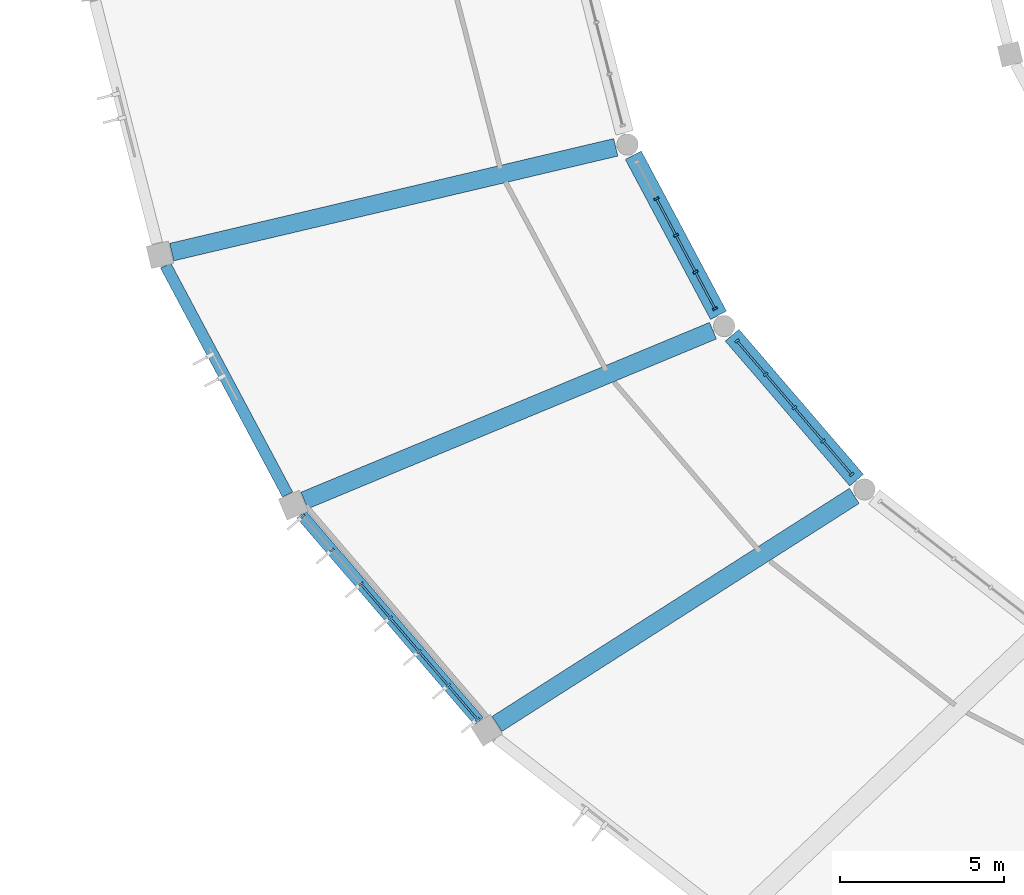
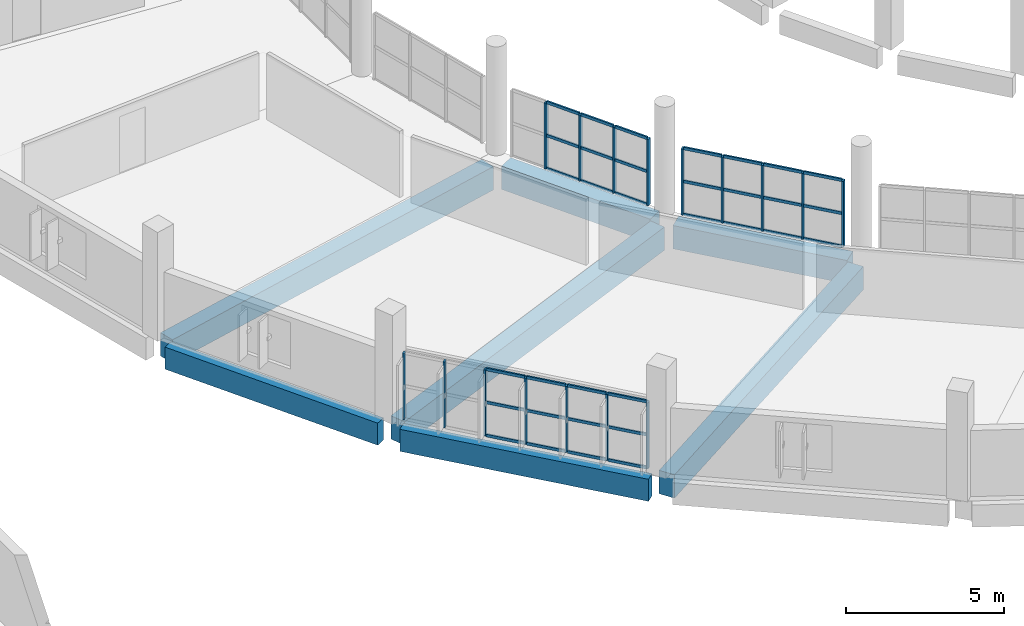
# One storey, part 4 of 142: 49 members, 7 beams, 3 elements without a shape of their own.
"""IFC4 building model written with IfcOpenShell, lengths in metres."""

from ifc_helpers import new_model, si_unit, direction, frame, origin, origin_2d, place, context, subcontext, project, spatial, rectangle, extrude, material, layer, layer_set, material_profile, profile_set, type_object, element, aggregate, save


model = new_model("IFC4")

# Units and contexts
model_context = context("Model", 3, precision=1e-05, world=origin(), true_north=direction((0.0, 1.0)))
body_context = subcontext(model_context, "Body", "Model", "MODEL_VIEW")
ifc_project = project(units=[si_unit("LENGTHUNIT", "METRE"), si_unit("AREAUNIT", "SQUARE_METRE"), si_unit("VOLUMEUNIT", "CUBIC_METRE"), si_unit("PLANEANGLEUNIT", "RADIAN"), si_unit("MASSUNIT", "GRAM", prefix="KILO")], contexts=[model_context])

# Site, building, storey
site_placement = place(None, origin())
site = spatial("IfcSite", under=ifc_project, at=site_placement, CompositionType="ELEMENT")
building_placement = place(site_placement, origin())
building = spatial("IfcBuilding", under=site, at=building_placement, Name="Corvandel Quay Wholesale Market", CompositionType="ELEMENT")
storey_placement = place(building_placement, frame((0.0, 0.0, 10.800048828125)))
storey = spatial("IfcBuildingStorey", under=building, at=storey_placement, Name="L02", CompositionType="ELEMENT", Elevation=10.800048828125)

# Curtain wall, members
ifc_material_1 = material(Name="Bronze anodised aluminium and low-E insulated glazing", Category="aluminium")
ifc_layer_1 = layer(ifc_material_1, 0.162109375)
ifc_layer_set_1 = layer_set([ifc_layer_1], Name="Bronze anodised aluminium and low-E insulated glazing")
curtain_wall_type_1 = type_object("IfcCurtainWallType", Name="Stick Curtain Wall System CW11 H3990", PredefinedType="NOTDEFINED", material=ifc_layer_set_1)
curtain_wall_1_placement = place(storey_placement, origin())
curtain_wall_1 = element("IfcCurtainWall", 1, at=curtain_wall_1_placement, inside=storey, type_object=curtain_wall_type_1, Name="Curtain Wall CW-0052", PredefinedType="NOTDEFINED")
ifc_material_2 = material(Name="Anodised aluminium 6063-T6", Category="aluminium")
ifc_material_profile_1 = material_profile(ifc_material_2, rectangle(XDim=0.06494140625, YDim=0.14990234375, at=origin_2d()), Name="ALU-MUL-65x150")
ifc_profile_set_1 = profile_set([ifc_material_profile_1], Name="Anodised aluminium 6063-T6")
member_type_1 = type_object("IfcMemberType", Name="Curtain Wall Mullion ML02 65x150", PredefinedType="MULLION", material=ifc_profile_set_1)
member_1_placement = place(storey_placement, frame((77.23388671875, 31.468017578125, 0.0), z_axis=(0.0, 0.0, 1.0), x_axis=(-0.470087862033, 0.882619624736, 0.0)))
member_1 = element("IfcMember", 2, at=member_1_placement, type_object=member_type_1, Name="Mullion CW-0052-M01", PredefinedType="MULLION", context=body_context, shape_type="SweptSolid", body=[
    extrude(rectangle(XDim=0.06494140625, YDim=0.14990234375, at=origin_2d()), origin(), (0.0, 0.0, 1.0), 2.550048828125),
])
member_2_placement = place(storey_placement, frame((77.83056640625, 30.347412109375, 0.0), z_axis=(0.0, 0.0, 1.0), x_axis=(-0.470087862033, 0.882619624736, 0.0)))
member_2 = element("IfcMember", 3, at=member_2_placement, type_object=member_type_1, Name="Mullion CW-0052-M02", PredefinedType="MULLION", context=body_context, shape_type="SweptSolid", body=[
    extrude(rectangle(XDim=0.06494140625, YDim=0.14990234375, at=origin_2d()), origin(), (0.0, 0.0, 1.0), 2.550048828125),
])
member_3_placement = place(storey_placement, frame((78.42724609375, 29.22705078125, 0.0), z_axis=(0.0, 0.0, 1.0), x_axis=(-0.470087862033, 0.882619624736, 0.0)))
member_3 = element("IfcMember", 4, at=member_3_placement, type_object=member_type_1, Name="Mullion CW-0052-M03", PredefinedType="MULLION", context=body_context, shape_type="SweptSolid", body=[
    extrude(rectangle(XDim=0.06494140625, YDim=0.14990234375, at=origin_2d()), origin(), (0.0, 0.0, 1.0), 2.550048828125),
])
member_4_placement = place(storey_placement, frame((79.02392578125, 28.106689453125, 0.0), z_axis=(0.0, 0.0, 1.0), x_axis=(-0.470087862033, 0.882619624736, 0.0)))
member_4 = element("IfcMember", 5, at=member_4_placement, type_object=member_type_1, Name="Mullion CW-0052-M04", PredefinedType="MULLION", context=body_context, shape_type="SweptSolid", body=[
    extrude(rectangle(XDim=0.06494140625, YDim=0.14990234375, at=origin_2d()), origin(), (0.0, 0.0, 1.0), 2.550048828125),
])

ifc_layer_2 = layer(ifc_material_1, 0.174072265625)
ifc_layer_set_2 = layer_set([ifc_layer_2], Name="Bronze anodised aluminium and low-E insulated glazing")
curtain_wall_type_2 = type_object("IfcCurtainWallType", Name="Stick Curtain Wall System CW27 H5430", PredefinedType="NOTDEFINED", material=ifc_layer_set_2)
curtain_wall_2_placement = place(storey_placement, origin())
curtain_wall_2 = element("IfcCurtainWall", 6, at=curtain_wall_2_placement, inside=storey, type_object=curtain_wall_type_2, Name="Curtain Wall CW-0054", PredefinedType="NOTDEFINED")
member_5_placement = place(storey_placement, frame((66.439208984375, 21.7646484375, 0.0), z_axis=(0.0, 0.0, 1.0), x_axis=(-0.651568967347, 0.758589401976, 0.0)))
member_5 = element("IfcMember", 7, at=member_5_placement, type_object=member_type_1, Name="Mullion CW-0054-M00", PredefinedType="MULLION", context=body_context, shape_type="SweptSolid", body=[
    extrude(rectangle(XDim=0.06494140625, YDim=0.14990234375, at=origin_2d()), origin(), (0.0, 0.0, 1.0), 2.550048828125),
])
member_6_placement = place(storey_placement, frame((67.326416015625, 20.73193359375, 0.0), z_axis=(0.0, 0.0, 1.0), x_axis=(-0.651568967347, 0.758589401976, 0.0)))
member_6 = element("IfcMember", 8, at=member_6_placement, type_object=member_type_1, Name="Mullion CW-0054-M01", PredefinedType="MULLION", context=body_context, shape_type="SweptSolid", body=[
    extrude(rectangle(XDim=0.06494140625, YDim=0.14990234375, at=origin_2d()), origin(), (0.0, 0.0, 1.0), 2.550048828125),
])
member_7_placement = place(storey_placement, frame((68.21337890625, 19.69921875, 0.0), z_axis=(0.0, 0.0, 1.0), x_axis=(-0.651568967347, 0.758589401976, 0.0)))
member_7 = element("IfcMember", 9, at=member_7_placement, type_object=member_type_1, Name="Mullion CW-0054-M02", PredefinedType="MULLION", context=body_context, shape_type="SweptSolid", body=[
    extrude(rectangle(XDim=0.06494140625, YDim=0.14990234375, at=origin_2d()), origin(), (0.0, 0.0, 1.0), 2.550048828125),
])
member_8_placement = place(storey_placement, frame((69.1005859375, 18.66650390625, 0.0), z_axis=(0.0, 0.0, 1.0), x_axis=(-0.651568967347, 0.758589401976, 0.0)))
member_8 = element("IfcMember", 10, at=member_8_placement, type_object=member_type_1, Name="Mullion CW-0054-M03", PredefinedType="MULLION", context=body_context, shape_type="SweptSolid", body=[
    extrude(rectangle(XDim=0.06494140625, YDim=0.14990234375, at=origin_2d()), origin(), (0.0, 0.0, 1.0), 2.550048828125),
])
member_9_placement = place(storey_placement, frame((69.987548828125, 17.6337890625, 0.0), z_axis=(0.0, 0.0, 1.0), x_axis=(-0.651568967347, 0.758589401976, 0.0)))
member_9 = element("IfcMember", 11, at=member_9_placement, type_object=member_type_1, Name="Mullion CW-0054-M04", PredefinedType="MULLION", context=body_context, shape_type="SweptSolid", body=[
    extrude(rectangle(XDim=0.06494140625, YDim=0.14990234375, at=origin_2d()), origin(), (0.0, 0.0, 1.0), 2.550048828125),
])
member_10_placement = place(storey_placement, frame((70.874755859375, 16.60107421875, 0.0), z_axis=(0.0, 0.0, 1.0), x_axis=(-0.651568967347, 0.758589401976, 0.0)))
member_10 = element("IfcMember", 12, at=member_10_placement, type_object=member_type_1, Name="Mullion CW-0054-M05", PredefinedType="MULLION", context=body_context, shape_type="SweptSolid", body=[
    extrude(rectangle(XDim=0.06494140625, YDim=0.14990234375, at=origin_2d()), origin(), (0.0, 0.0, 1.0), 2.550048828125),
])
member_11_placement = place(storey_placement, frame((71.76171875, 15.568359375, 0.0), z_axis=(0.0, 0.0, 1.0), x_axis=(-0.651568967347, 0.758589401976, 0.0)))
member_11 = element("IfcMember", 13, at=member_11_placement, type_object=member_type_1, Name="Mullion CW-0054-M06", PredefinedType="MULLION", context=body_context, shape_type="SweptSolid", body=[
    extrude(rectangle(XDim=0.06494140625, YDim=0.14990234375, at=origin_2d()), origin(), (0.0, 0.0, 1.0), 2.550048828125),
])

ifc_layer_3 = layer(ifc_material_1, 0.174072265625)
ifc_layer_set_3 = layer_set([ifc_layer_3], Name="Bronze anodised aluminium and low-E insulated glazing")
curtain_wall_type_3 = type_object("IfcCurtainWallType", Name="Stick Curtain Wall System CW12 H4080", PredefinedType="NOTDEFINED", material=ifc_layer_set_3)
curtain_wall_3_placement = place(storey_placement, origin())
curtain_wall_3 = element("IfcCurtainWall", 14, at=curtain_wall_3_placement, inside=storey, type_object=curtain_wall_type_3, Name="Curtain Wall CW-0056", PredefinedType="NOTDEFINED")
member_12_placement = place(storey_placement, frame((79.697021484375, 27.121826171875, 0.0), z_axis=(0.0, 0.0, 1.0), x_axis=(-0.651568967347, 0.758589401976, 0.0)))
member_12 = element("IfcMember", 15, at=member_12_placement, type_object=member_type_1, Name="Mullion CW-0056-M00", PredefinedType="MULLION", context=body_context, shape_type="SweptSolid", body=[
    extrude(rectangle(XDim=0.06494140625, YDim=0.14990234375, at=origin_2d()), origin(), (0.0, 0.0, 1.0), 2.550048828125),
])
member_13_placement = place(storey_placement, frame((80.572509765625, 26.1025390625, 0.0), z_axis=(0.0, 0.0, 1.0), x_axis=(-0.651568967347, 0.758589401976, 0.0)))
member_13 = element("IfcMember", 16, at=member_13_placement, type_object=member_type_1, Name="Mullion CW-0056-M01", PredefinedType="MULLION", context=body_context, shape_type="SweptSolid", body=[
    extrude(rectangle(XDim=0.06494140625, YDim=0.14990234375, at=origin_2d()), origin(), (0.0, 0.0, 1.0), 2.550048828125),
])
member_14_placement = place(storey_placement, frame((81.447998046875, 25.0830078125, 0.0), z_axis=(0.0, 0.0, 1.0), x_axis=(-0.651568967347, 0.758589401976, 0.0)))
member_14 = element("IfcMember", 17, at=member_14_placement, type_object=member_type_1, Name="Mullion CW-0056-M02", PredefinedType="MULLION", context=body_context, shape_type="SweptSolid", body=[
    extrude(rectangle(XDim=0.06494140625, YDim=0.14990234375, at=origin_2d()), origin(), (0.0, 0.0, 1.0), 2.550048828125),
])
member_15_placement = place(storey_placement, frame((82.323486328125, 24.0634765625, 0.0), z_axis=(0.0, 0.0, 1.0), x_axis=(-0.651568967347, 0.758589401976, 0.0)))
member_15 = element("IfcMember", 18, at=member_15_placement, type_object=member_type_1, Name="Mullion CW-0056-M03", PredefinedType="MULLION", context=body_context, shape_type="SweptSolid", body=[
    extrude(rectangle(XDim=0.06494140625, YDim=0.14990234375, at=origin_2d()), origin(), (0.0, 0.0, 1.0), 2.550048828125),
])
member_16_placement = place(storey_placement, frame((83.19921875, 23.044189453125, 0.0), z_axis=(0.0, 0.0, 1.0), x_axis=(-0.651568967347, 0.758589401976, 0.0)))
member_16 = element("IfcMember", 19, at=member_16_placement, type_object=member_type_1, Name="Mullion CW-0056-M04", PredefinedType="MULLION", context=body_context, shape_type="SweptSolid", body=[
    extrude(rectangle(XDim=0.06494140625, YDim=0.14990234375, at=origin_2d()), origin(), (0.0, 0.0, 1.0), 2.550048828125),
])

# Member
ifc_material_profile_2 = material_profile(ifc_material_2, rectangle(XDim=0.06005859375, YDim=0.110107421875, at=origin_2d()), Name="ALU-TRN-60x110")
ifc_profile_set_2 = profile_set([ifc_material_profile_2], Name="Anodised aluminium 6063-T6")
member_type_2 = type_object("IfcMemberType", Name="Curtain Wall Transom TR02 60x110", PredefinedType="USERDEFINED", material=ifc_profile_set_2)
member_17_placement = place(storey_placement, frame((77.2490234375, 31.439208984375, 0.0), z_axis=(0.470093651578, -0.882616541169, 0.0), x_axis=(0.882616541169, 0.470093651578, 0.0)))
member_17 = element("IfcMember", 20, at=member_17_placement, type_object=member_type_2, Name="Transom CW-0052-T01-0", ObjectType="TRANSOM", PredefinedType="USERDEFINED", context=body_context, shape_type="SweptSolid", body=[
    extrude(rectangle(XDim=0.06005859375, YDim=0.110107421875, at=origin_2d()), origin(), (0.0, 0.0, 1.0), 1.204345703125),
])

member_18_placement = place(storey_placement, frame((77.2490234375, 31.439208984375, 1.27490234375), z_axis=(0.470093651578, -0.882616541169, 0.0), x_axis=(0.882616541169, 0.470093651578, 0.0)))
member_18 = element("IfcMember", 21, at=member_18_placement, type_object=member_type_2, Name="Transom CW-0052-T01-1", ObjectType="TRANSOM", PredefinedType="USERDEFINED", context=body_context, shape_type="SweptSolid", body=[
    extrude(rectangle(XDim=0.06005859375, YDim=0.110107421875, at=origin_2d()), origin(), (0.0, 0.0, 1.0), 1.204345703125),
])

member_19_placement = place(storey_placement, frame((77.2490234375, 31.439208984375, 2.550048828125), z_axis=(0.470093651578, -0.882616541169, 0.0), x_axis=(0.882616541169, 0.470093651578, 0.0)))
member_19 = element("IfcMember", 22, at=member_19_placement, type_object=member_type_2, Name="Transom CW-0052-T01-2", ObjectType="TRANSOM", PredefinedType="USERDEFINED", context=body_context, shape_type="SweptSolid", body=[
    extrude(rectangle(XDim=0.06005859375, YDim=0.110107421875, at=origin_2d()), origin(), (0.0, 0.0, 1.0), 1.204345703125),
])

member_20_placement = place(storey_placement, frame((77.845703125, 30.31884765625, 0.0), z_axis=(0.470167437755, -0.882577237682, 0.0), x_axis=(0.882577237682, 0.470167437755, 0.0)))
member_20 = element("IfcMember", 23, at=member_20_placement, type_object=member_type_2, Name="Transom CW-0052-T02-0", ObjectType="TRANSOM", PredefinedType="USERDEFINED", context=body_context, shape_type="SweptSolid", body=[
    extrude(rectangle(XDim=0.06005859375, YDim=0.110107421875, at=origin_2d()), origin(), (0.0, 0.0, 1.0), 1.20458984375),
])

member_21_placement = place(storey_placement, frame((77.845703125, 30.31884765625, 1.27490234375), z_axis=(0.470167437755, -0.882577237682, 0.0), x_axis=(0.882577237682, 0.470167437755, 0.0)))
member_21 = element("IfcMember", 24, at=member_21_placement, type_object=member_type_2, Name="Transom CW-0052-T02-1", ObjectType="TRANSOM", PredefinedType="USERDEFINED", context=body_context, shape_type="SweptSolid", body=[
    extrude(rectangle(XDim=0.06005859375, YDim=0.110107421875, at=origin_2d()), origin(), (0.0, 0.0, 1.0), 1.20458984375),
])

member_22_placement = place(storey_placement, frame((77.845703125, 30.31884765625, 2.550048828125), z_axis=(0.470167437755, -0.882577237682, 0.0), x_axis=(0.882577237682, 0.470167437755, 0.0)))
member_22 = element("IfcMember", 25, at=member_22_placement, type_object=member_type_2, Name="Transom CW-0052-T02-2", ObjectType="TRANSOM", PredefinedType="USERDEFINED", context=body_context, shape_type="SweptSolid", body=[
    extrude(rectangle(XDim=0.06005859375, YDim=0.110107421875, at=origin_2d()), origin(), (0.0, 0.0, 1.0), 1.20458984375),
])

member_23_placement = place(storey_placement, frame((78.4423828125, 29.198486328125, 0.0), z_axis=(0.470167437755, -0.882577237682, 0.0), x_axis=(0.882577237682, 0.470167437755, 0.0)))
member_23 = element("IfcMember", 26, at=member_23_placement, type_object=member_type_2, Name="Transom CW-0052-T03-0", ObjectType="TRANSOM", PredefinedType="USERDEFINED", context=body_context, shape_type="SweptSolid", body=[
    extrude(rectangle(XDim=0.06005859375, YDim=0.110107421875, at=origin_2d()), origin(), (0.0, 0.0, 1.0), 1.20458984375),
])

member_24_placement = place(storey_placement, frame((78.4423828125, 29.198486328125, 1.27490234375), z_axis=(0.470167437755, -0.882577237682, 0.0), x_axis=(0.882577237682, 0.470167437755, 0.0)))
member_24 = element("IfcMember", 27, at=member_24_placement, type_object=member_type_2, Name="Transom CW-0052-T03-1", ObjectType="TRANSOM", PredefinedType="USERDEFINED", context=body_context, shape_type="SweptSolid", body=[
    extrude(rectangle(XDim=0.06005859375, YDim=0.110107421875, at=origin_2d()), origin(), (0.0, 0.0, 1.0), 1.20458984375),
])

member_25_placement = place(storey_placement, frame((78.4423828125, 29.198486328125, 2.550048828125), z_axis=(0.470167437755, -0.882577237682, 0.0), x_axis=(0.882577237682, 0.470167437755, 0.0)))
member_25 = element("IfcMember", 28, at=member_25_placement, type_object=member_type_2, Name="Transom CW-0052-T03-2", ObjectType="TRANSOM", PredefinedType="USERDEFINED", context=body_context, shape_type="SweptSolid", body=[
    extrude(rectangle(XDim=0.06005859375, YDim=0.110107421875, at=origin_2d()), origin(), (0.0, 0.0, 1.0), 1.20458984375),
])

aggregate(curtain_wall_1, [member_1, member_2, member_3, member_4, member_17, member_18, member_19, member_20, member_21, member_22, member_23, member_24, member_25])

member_26_placement = place(storey_placement, frame((68.234619140625, 19.674560546875, 0.0), z_axis=(0.651597471756, -0.758564917987, 0.0), x_axis=(0.758564917987, 0.651597471756, 0.0)))
member_26 = element("IfcMember", 29, at=member_26_placement, type_object=member_type_2, Name="Transom CW-0054-T02-0", ObjectType="TRANSOM", PredefinedType="USERDEFINED", context=body_context, shape_type="SweptSolid", body=[
    extrude(rectangle(XDim=0.06005859375, YDim=0.110107421875, at=origin_2d()), origin(), (0.0, 0.0, 1.0), 1.29638671875),
])

member_27_placement = place(storey_placement, frame((68.234619140625, 19.674560546875, 1.27490234375), z_axis=(0.651597471756, -0.758564917987, 0.0), x_axis=(0.758564917987, 0.651597471756, 0.0)))
member_27 = element("IfcMember", 30, at=member_27_placement, type_object=member_type_2, Name="Transom CW-0054-T02-1", ObjectType="TRANSOM", PredefinedType="USERDEFINED", context=body_context, shape_type="SweptSolid", body=[
    extrude(rectangle(XDim=0.06005859375, YDim=0.110107421875, at=origin_2d()), origin(), (0.0, 0.0, 1.0), 1.29638671875),
])

member_28_placement = place(storey_placement, frame((68.234619140625, 19.674560546875, 2.550048828125), z_axis=(0.651597471756, -0.758564917987, 0.0), x_axis=(0.758564917987, 0.651597471756, 0.0)))
member_28 = element("IfcMember", 31, at=member_28_placement, type_object=member_type_2, Name="Transom CW-0054-T02-2", ObjectType="TRANSOM", PredefinedType="USERDEFINED", context=body_context, shape_type="SweptSolid", body=[
    extrude(rectangle(XDim=0.06005859375, YDim=0.110107421875, at=origin_2d()), origin(), (0.0, 0.0, 1.0), 1.29638671875),
])

member_29_placement = place(storey_placement, frame((69.12158203125, 18.641845703125, 0.0), z_axis=(0.651597471756, -0.758564917987, 0.0), x_axis=(0.758564917987, 0.651597471756, 0.0)))
member_29 = element("IfcMember", 32, at=member_29_placement, type_object=member_type_2, Name="Transom CW-0054-T03-0", ObjectType="TRANSOM", PredefinedType="USERDEFINED", context=body_context, shape_type="SweptSolid", body=[
    extrude(rectangle(XDim=0.06005859375, YDim=0.110107421875, at=origin_2d()), origin(), (0.0, 0.0, 1.0), 1.29638671875),
])

member_30_placement = place(storey_placement, frame((69.12158203125, 18.641845703125, 1.27490234375), z_axis=(0.651597471756, -0.758564917987, 0.0), x_axis=(0.758564917987, 0.651597471756, 0.0)))
member_30 = element("IfcMember", 33, at=member_30_placement, type_object=member_type_2, Name="Transom CW-0054-T03-1", ObjectType="TRANSOM", PredefinedType="USERDEFINED", context=body_context, shape_type="SweptSolid", body=[
    extrude(rectangle(XDim=0.06005859375, YDim=0.110107421875, at=origin_2d()), origin(), (0.0, 0.0, 1.0), 1.29638671875),
])

member_31_placement = place(storey_placement, frame((69.12158203125, 18.641845703125, 2.550048828125), z_axis=(0.651597471756, -0.758564917987, 0.0), x_axis=(0.758564917987, 0.651597471756, 0.0)))
member_31 = element("IfcMember", 34, at=member_31_placement, type_object=member_type_2, Name="Transom CW-0054-T03-2", ObjectType="TRANSOM", PredefinedType="USERDEFINED", context=body_context, shape_type="SweptSolid", body=[
    extrude(rectangle(XDim=0.06005859375, YDim=0.110107421875, at=origin_2d()), origin(), (0.0, 0.0, 1.0), 1.29638671875),
])

member_32_placement = place(storey_placement, frame((70.0087890625, 17.609130859375, 0.0), z_axis=(0.651597471756, -0.758564917987, 0.0), x_axis=(0.758564917987, 0.651597471756, 0.0)))
member_32 = element("IfcMember", 35, at=member_32_placement, type_object=member_type_2, Name="Transom CW-0054-T04-0", ObjectType="TRANSOM", PredefinedType="USERDEFINED", context=body_context, shape_type="SweptSolid", body=[
    extrude(rectangle(XDim=0.06005859375, YDim=0.110107421875, at=origin_2d()), origin(), (0.0, 0.0, 1.0), 1.29638671875),
])

member_33_placement = place(storey_placement, frame((70.0087890625, 17.609130859375, 1.27490234375), z_axis=(0.651597471756, -0.758564917987, 0.0), x_axis=(0.758564917987, 0.651597471756, 0.0)))
member_33 = element("IfcMember", 36, at=member_33_placement, type_object=member_type_2, Name="Transom CW-0054-T04-1", ObjectType="TRANSOM", PredefinedType="USERDEFINED", context=body_context, shape_type="SweptSolid", body=[
    extrude(rectangle(XDim=0.06005859375, YDim=0.110107421875, at=origin_2d()), origin(), (0.0, 0.0, 1.0), 1.29638671875),
])

member_34_placement = place(storey_placement, frame((70.0087890625, 17.609130859375, 2.550048828125), z_axis=(0.651597471756, -0.758564917987, 0.0), x_axis=(0.758564917987, 0.651597471756, 0.0)))
member_34 = element("IfcMember", 37, at=member_34_placement, type_object=member_type_2, Name="Transom CW-0054-T04-2", ObjectType="TRANSOM", PredefinedType="USERDEFINED", context=body_context, shape_type="SweptSolid", body=[
    extrude(rectangle(XDim=0.06005859375, YDim=0.110107421875, at=origin_2d()), origin(), (0.0, 0.0, 1.0), 1.29638671875),
])

member_35_placement = place(storey_placement, frame((70.89599609375, 16.576416015625, 0.0), z_axis=(0.651489086867, -0.758658005753, 0.0), x_axis=(0.758658005753, 0.651489086867, 0.0)))
member_35 = element("IfcMember", 38, at=member_35_placement, type_object=member_type_2, Name="Transom CW-0054-T05-0", ObjectType="TRANSOM", PredefinedType="USERDEFINED", context=body_context, shape_type="SweptSolid", body=[
    extrude(rectangle(XDim=0.06005859375, YDim=0.110107421875, at=origin_2d()), origin(), (0.0, 0.0, 1.0), 1.296142578125),
])

member_36_placement = place(storey_placement, frame((70.89599609375, 16.576416015625, 1.27490234375), z_axis=(0.651489086867, -0.758658005753, 0.0), x_axis=(0.758658005753, 0.651489086867, 0.0)))
member_36 = element("IfcMember", 39, at=member_36_placement, type_object=member_type_2, Name="Transom CW-0054-T05-1", ObjectType="TRANSOM", PredefinedType="USERDEFINED", context=body_context, shape_type="SweptSolid", body=[
    extrude(rectangle(XDim=0.06005859375, YDim=0.110107421875, at=origin_2d()), origin(), (0.0, 0.0, 1.0), 1.296142578125),
])

member_37_placement = place(storey_placement, frame((70.89599609375, 16.576416015625, 2.550048828125), z_axis=(0.651489086867, -0.758658005753, 0.0), x_axis=(0.758658005753, 0.651489086867, 0.0)))
member_37 = element("IfcMember", 40, at=member_37_placement, type_object=member_type_2, Name="Transom CW-0054-T05-2", ObjectType="TRANSOM", PredefinedType="USERDEFINED", context=body_context, shape_type="SweptSolid", body=[
    extrude(rectangle(XDim=0.06005859375, YDim=0.110107421875, at=origin_2d()), origin(), (0.0, 0.0, 1.0), 1.296142578125),
])

aggregate(curtain_wall_2, [member_5, member_6, member_7, member_8, member_9, member_10, member_11, member_26, member_27, member_28, member_29, member_30, member_31, member_32, member_33, member_34, member_35, member_36, member_37])

member_38_placement = place(storey_placement, frame((79.718017578125, 27.09716796875, 0.0), z_axis=(0.651624309471, -0.758541863911, 0.0), x_axis=(0.758541863911, 0.651624309471, 0.0)))
member_38 = element("IfcMember", 41, at=member_38_placement, type_object=member_type_2, Name="Transom CW-0056-T00-0", ObjectType="TRANSOM", PredefinedType="USERDEFINED", context=body_context, shape_type="SweptSolid", body=[
    extrude(rectangle(XDim=0.06005859375, YDim=0.110107421875, at=origin_2d()), origin(), (0.0, 0.0, 1.0), 1.27880859375),
])

member_39_placement = place(storey_placement, frame((79.718017578125, 27.09716796875, 1.27490234375), z_axis=(0.651624309471, -0.758541863911, 0.0), x_axis=(0.758541863911, 0.651624309471, 0.0)))
member_39 = element("IfcMember", 42, at=member_39_placement, type_object=member_type_2, Name="Transom CW-0056-T00-1", ObjectType="TRANSOM", PredefinedType="USERDEFINED", context=body_context, shape_type="SweptSolid", body=[
    extrude(rectangle(XDim=0.06005859375, YDim=0.110107421875, at=origin_2d()), origin(), (0.0, 0.0, 1.0), 1.27880859375),
])

member_40_placement = place(storey_placement, frame((79.718017578125, 27.09716796875, 2.550048828125), z_axis=(0.651624309471, -0.758541863911, 0.0), x_axis=(0.758541863911, 0.651624309471, 0.0)))
member_40 = element("IfcMember", 43, at=member_40_placement, type_object=member_type_2, Name="Transom CW-0056-T00-2", ObjectType="TRANSOM", PredefinedType="USERDEFINED", context=body_context, shape_type="SweptSolid", body=[
    extrude(rectangle(XDim=0.06005859375, YDim=0.110107421875, at=origin_2d()), origin(), (0.0, 0.0, 1.0), 1.27880859375),
])

member_41_placement = place(storey_placement, frame((80.593505859375, 26.077880859375, 0.0), z_axis=(0.651529947256, -0.758622915439, 0.0), x_axis=(0.758622915439, 0.651529947256, 0.0)))
member_41 = element("IfcMember", 44, at=member_41_placement, type_object=member_type_2, Name="Transom CW-0056-T01-0", ObjectType="TRANSOM", PredefinedType="USERDEFINED", context=body_context, shape_type="SweptSolid", body=[
    extrude(rectangle(XDim=0.06005859375, YDim=0.110107421875, at=origin_2d()), origin(), (0.0, 0.0, 1.0), 1.27880859375),
])

member_42_placement = place(storey_placement, frame((80.593505859375, 26.077880859375, 1.27490234375), z_axis=(0.651529947256, -0.758622915439, 0.0), x_axis=(0.758622915439, 0.651529947256, 0.0)))
member_42 = element("IfcMember", 45, at=member_42_placement, type_object=member_type_2, Name="Transom CW-0056-T01-1", ObjectType="TRANSOM", PredefinedType="USERDEFINED", context=body_context, shape_type="SweptSolid", body=[
    extrude(rectangle(XDim=0.06005859375, YDim=0.110107421875, at=origin_2d()), origin(), (0.0, 0.0, 1.0), 1.27880859375),
])

member_43_placement = place(storey_placement, frame((80.593505859375, 26.077880859375, 2.550048828125), z_axis=(0.651529947256, -0.758622915439, 0.0), x_axis=(0.758622915439, 0.651529947256, 0.0)))
member_43 = element("IfcMember", 46, at=member_43_placement, type_object=member_type_2, Name="Transom CW-0056-T01-2", ObjectType="TRANSOM", PredefinedType="USERDEFINED", context=body_context, shape_type="SweptSolid", body=[
    extrude(rectangle(XDim=0.06005859375, YDim=0.110107421875, at=origin_2d()), origin(), (0.0, 0.0, 1.0), 1.27880859375),
])

member_44_placement = place(storey_placement, frame((81.46923828125, 25.058349609375, 0.0), z_axis=(0.651529947256, -0.758622915439, 0.0), x_axis=(0.758622915439, 0.651529947256, 0.0)))
member_44 = element("IfcMember", 47, at=member_44_placement, type_object=member_type_2, Name="Transom CW-0056-T02-0", ObjectType="TRANSOM", PredefinedType="USERDEFINED", context=body_context, shape_type="SweptSolid", body=[
    extrude(rectangle(XDim=0.06005859375, YDim=0.110107421875, at=origin_2d()), origin(), (0.0, 0.0, 1.0), 1.27880859375),
])

member_45_placement = place(storey_placement, frame((81.46923828125, 25.058349609375, 1.27490234375), z_axis=(0.651529947256, -0.758622915439, 0.0), x_axis=(0.758622915439, 0.651529947256, 0.0)))
member_45 = element("IfcMember", 48, at=member_45_placement, type_object=member_type_2, Name="Transom CW-0056-T02-1", ObjectType="TRANSOM", PredefinedType="USERDEFINED", context=body_context, shape_type="SweptSolid", body=[
    extrude(rectangle(XDim=0.06005859375, YDim=0.110107421875, at=origin_2d()), origin(), (0.0, 0.0, 1.0), 1.27880859375),
])

member_46_placement = place(storey_placement, frame((81.46923828125, 25.058349609375, 2.550048828125), z_axis=(0.651529947256, -0.758622915439, 0.0), x_axis=(0.758622915439, 0.651529947256, 0.0)))
member_46 = element("IfcMember", 49, at=member_46_placement, type_object=member_type_2, Name="Transom CW-0056-T02-2", ObjectType="TRANSOM", PredefinedType="USERDEFINED", context=body_context, shape_type="SweptSolid", body=[
    extrude(rectangle(XDim=0.06005859375, YDim=0.110107421875, at=origin_2d()), origin(), (0.0, 0.0, 1.0), 1.27880859375),
])

member_47_placement = place(storey_placement, frame((82.3447265625, 24.038818359375, 0.0), z_axis=(0.651624309471, -0.758541863911, 0.0), x_axis=(0.758541863911, 0.651624309471, 0.0)))
member_47 = element("IfcMember", 50, at=member_47_placement, type_object=member_type_2, Name="Transom CW-0056-T03-0", ObjectType="TRANSOM", PredefinedType="USERDEFINED", context=body_context, shape_type="SweptSolid", body=[
    extrude(rectangle(XDim=0.06005859375, YDim=0.110107421875, at=origin_2d()), origin(), (0.0, 0.0, 1.0), 1.27880859375),
])

member_48_placement = place(storey_placement, frame((82.3447265625, 24.038818359375, 1.27490234375), z_axis=(0.651624309471, -0.758541863911, 0.0), x_axis=(0.758541863911, 0.651624309471, 0.0)))
member_48 = element("IfcMember", 51, at=member_48_placement, type_object=member_type_2, Name="Transom CW-0056-T03-1", ObjectType="TRANSOM", PredefinedType="USERDEFINED", context=body_context, shape_type="SweptSolid", body=[
    extrude(rectangle(XDim=0.06005859375, YDim=0.110107421875, at=origin_2d()), origin(), (0.0, 0.0, 1.0), 1.27880859375),
])

member_49_placement = place(storey_placement, frame((82.3447265625, 24.038818359375, 2.550048828125), z_axis=(0.651624309471, -0.758541863911, 0.0), x_axis=(0.758541863911, 0.651624309471, 0.0)))
member_49 = element("IfcMember", 52, at=member_49_placement, type_object=member_type_2, Name="Transom CW-0056-T03-2", ObjectType="TRANSOM", PredefinedType="USERDEFINED", context=body_context, shape_type="SweptSolid", body=[
    extrude(rectangle(XDim=0.06005859375, YDim=0.110107421875, at=origin_2d()), origin(), (0.0, 0.0, 1.0), 1.27880859375),
])

aggregate(curtain_wall_3, [member_12, member_13, member_14, member_15, member_16, member_38, member_39, member_40, member_41, member_42, member_43, member_44, member_45, member_46, member_47, member_48, member_49])

# Beams
ifc_material_3 = material(Name="Precast concrete C45/55", Category="concrete")
ifc_material_profile_3 = material_profile(ifc_material_3, rectangle(XDim=0.35009765625, YDim=0.85009765625, at=origin_2d()), Name="PC-SPN-350x850")
ifc_profile_set_3 = profile_set([ifc_material_profile_3], Name="Precast concrete C45/55")
beam_type_1 = type_object("IfcBeamType", Name="Perimeter Precast Spandrel SP01 350x850", PredefinedType="SPANDREL", material=ifc_profile_set_3)
beam_1_placement = place(storey_placement, frame((62.248779296875, 29.42236328125, -0.7451171875), z_axis=(0.470148166792, -0.882587503459, 0.0), x_axis=(0.882587503459, 0.470148166792, 0.0)))
element("IfcBeam", 53, at=beam_1_placement, inside=storey, type_object=beam_type_1, Name="Beam BM-0222", PredefinedType="SPANDREL", context=body_context, shape_type="SweptSolid", body=[
    extrude(rectangle(XDim=0.35009765625, YDim=0.85009765625, at=origin_2d()), origin(), (0.0, 0.0, 1.0), 7.919677734375),
])
beam_2_placement = place(storey_placement, frame((66.38720703125, 21.8251953125, -0.7451171875), z_axis=(0.651611810623, -0.75855260085, 0.0), x_axis=(0.75855260085, 0.651611810623, 0.0)))
element("IfcBeam", 54, at=beam_2_placement, inside=storey, type_object=beam_type_1, Name="Beam BM-0234", PredefinedType="SPANDREL", context=body_context, shape_type="SweptSolid", body=[
    extrude(rectangle(XDim=0.35009765625, YDim=0.85009765625, at=origin_2d()), origin(), (0.0, 0.0, 1.0), 8.328125),
])
ifc_material_profile_4 = material_profile(ifc_material_3, rectangle(XDim=0.550048828125, YDim=0.89990234375, at=origin_2d()), Name="PC-GIR-550x900")
ifc_profile_set_4 = profile_set([ifc_material_profile_4], Name="Precast concrete C45/55")
beam_type_2 = type_object("IfcBeamType", Name="Produce Hall Radial Girder G03 550x900", PredefinedType="USERDEFINED", material=ifc_profile_set_4)
beam_3_placement = place(storey_placement, frame((76.52880859375, 32.79150390625, -0.77001953125), z_axis=(0.470077899921, -0.882624930537, 0.0), x_axis=(0.882624930537, 0.470077899921, 0.0)))
element("IfcBeam", 55, at=beam_3_placement, inside=storey, type_object=beam_type_2, Name="Beam BM-0223", ObjectType="GIRDER", PredefinedType="USERDEFINED", context=body_context, shape_type="SweptSolid", body=[
    extrude(rectangle(XDim=0.550048828125, YDim=0.89990234375, at=origin_2d()), origin(), (0.0, 0.0, 1.0), 5.537841796875),
])
beam_4_placement = place(storey_placement, frame((62.43505859375, 29.833984375, -0.77001953125), z_axis=(0.973282095962, 0.229612633971, 0.0), x_axis=(-0.229612633971, 0.973282095962, 0.0)))
element("IfcBeam", 56, at=beam_4_placement, inside=storey, type_object=beam_type_2, Name="Beam BM-0225", ObjectType="GIRDER", PredefinedType="USERDEFINED", context=body_context, shape_type="SweptSolid", body=[
    extrude(rectangle(XDim=0.550048828125, YDim=0.89990234375, at=origin_2d()), origin(), (0.0, 0.0, 1.0), 13.93212890625),
])
beam_5_placement = place(storey_placement, frame((79.547119140625, 27.29638671875, -0.77001953125), z_axis=(0.651521537179, -0.758630138205, 0.0), x_axis=(0.758630138205, 0.651521537179, 0.0)))
element("IfcBeam", 57, at=beam_5_placement, inside=storey, type_object=beam_type_2, Name="Beam BM-0235", ObjectType="GIRDER", PredefinedType="USERDEFINED", context=body_context, shape_type="SweptSolid", body=[
    extrude(rectangle(XDim=0.550048828125, YDim=0.89990234375, at=origin_2d()), origin(), (0.0, 0.0, 1.0), 5.835205078125),
])
beam_6_placement = place(storey_placement, frame((66.48779296875, 22.248046875, -0.77001953125), z_axis=(0.923380274271, 0.383886531527, 0.0), x_axis=(-0.383886531527, 0.923380274271, 0.0)))
element("IfcBeam", 58, at=beam_6_placement, inside=storey, type_object=beam_type_2, Name="Beam BM-0237", ObjectType="GIRDER", PredefinedType="USERDEFINED", context=body_context, shape_type="SweptSolid", body=[
    extrude(rectangle(XDim=0.550048828125, YDim=0.89990234375, at=origin_2d()), origin(), (0.0, 0.0, 1.0), 13.51171875),
])
beam_7_placement = place(storey_placement, frame((72.366943359375, 15.426025390625, -0.77001953125), z_axis=(0.842946232695, 0.537997814852, 0.0), x_axis=(-0.537997814852, 0.842946232695, 0.0)))
element("IfcBeam", 59, at=beam_7_placement, inside=storey, type_object=beam_type_2, Name="Beam BM-0249", ObjectType="GIRDER", PredefinedType="USERDEFINED", context=body_context, shape_type="SweptSolid", body=[
    extrude(rectangle(XDim=0.550048828125, YDim=0.89990234375, at=origin_2d()), origin(), (0.0, 0.0, 1.0), 12.944091796875),
])

save(model, "model.ifc")
